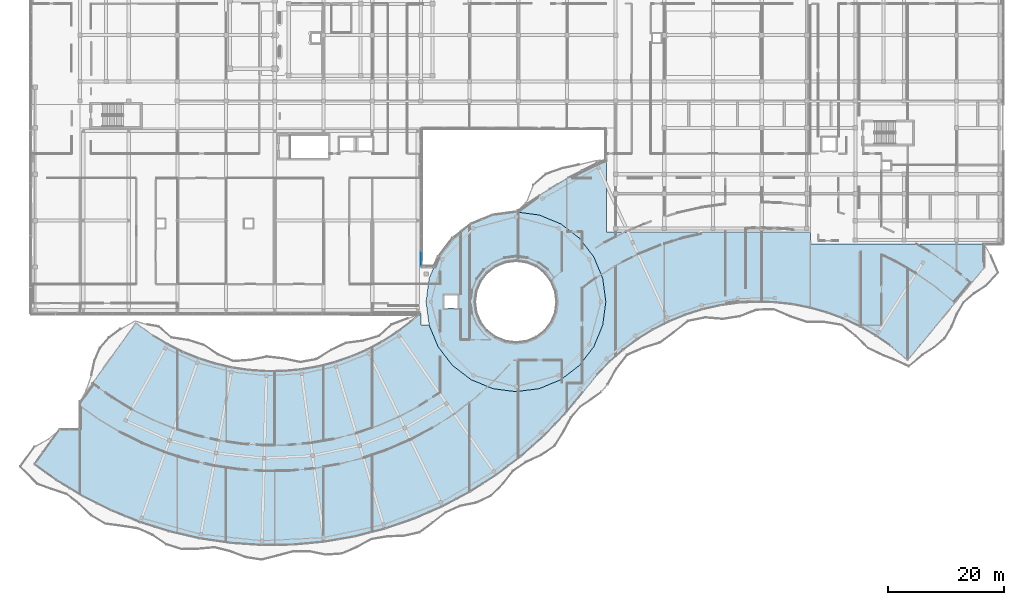
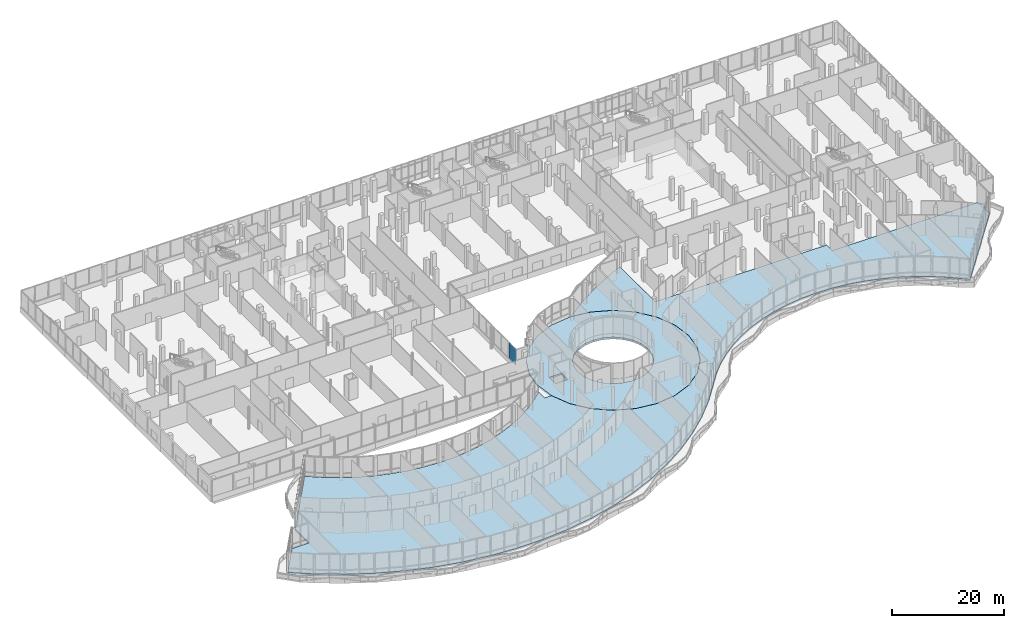
# One storey, part 120 of 155: 2 slabs, 1 plate, 1 element without a shape of its own.
"""IFC4 building model written with IfcOpenShell, lengths in metres."""

from ifc_helpers import new_model, si_unit, direction, frame, origin, origin_2d, place, context, subcontext, project, spatial, polyline, rectangle, outline, extrude, material, layer, layer_set, type_object, element, aggregate, save


model = new_model("IFC4")

# Units and contexts
model_context = context("Model", 3, precision=1e-05, world=origin(), true_north=direction((0.0, 1.0)))
body_context = subcontext(model_context, "Body", "Model", "MODEL_VIEW")
ifc_project = project(units=[si_unit("LENGTHUNIT", "METRE"), si_unit("AREAUNIT", "SQUARE_METRE"), si_unit("VOLUMEUNIT", "CUBIC_METRE"), si_unit("PLANEANGLEUNIT", "RADIAN"), si_unit("MASSUNIT", "GRAM", prefix="KILO")], contexts=[model_context])

# Site, building, storey
site_placement = place(None, origin())
site = spatial("IfcSite", under=ifc_project, at=site_placement, CompositionType="ELEMENT")
building_placement = place(site_placement, origin())
building = spatial("IfcBuilding", under=site, at=building_placement, Name="Selatvlak General Hospital", CompositionType="ELEMENT")
storey_placement = place(building_placement, frame((0.0, 0.0, 10.199951171875)))
storey = spatial("IfcBuildingStorey", under=building, at=storey_placement, Name="L02", CompositionType="ELEMENT", Elevation=10.199951171875)

# Curtain wall, plate
ifc_material_1 = material(Name="Solar-control Low-E double glazing", Category="glass")
curtain_wall_type = type_object("IfcCurtainWallType", Name="CW-CW-02", PredefinedType="USERDEFINED", material=ifc_material_1)
curtain_wall_placement = place(storey_placement, origin())
curtain_wall = element("IfcCurtainWall", 1, at=curtain_wall_placement, inside=storey, type_object=curtain_wall_type, Name="Glazed facade curtain wall CW-L02-0359", ObjectType="UNITISED CURTAIN WALL", PredefinedType="USERDEFINED")
ifc_layer_1 = layer(ifc_material_1, 0.028076171875, Name="Solar-control Low-E double glazing", Category="glass")
ifc_layer_set_1 = layer_set([ifc_layer_1], Name="Solar-control Low-E double glazing")
plate_type = type_object("IfcPlateType", Name="CWP-01", PredefinedType="CURTAIN_PANEL", material=ifc_layer_set_1)
plate_placement = place(storey_placement, frame((81.603271484375, 61.407958984375, 1.0048828125), z_axis=(0.0, 0.0, 1.0), x_axis=(-0.002531637448, -0.999996795401, 0.0)))
plate = element("IfcPlate", 2, at=plate_placement, type_object=plate_type, Name="CW-02 panel 3.1", PredefinedType="CURTAIN_PANEL", context=body_context, shape_type="SweptSolid", body=[
    extrude(rectangle(XDim=2.535888671875, YDim=0.028076171875, at=origin_2d()), origin(), (0.0, 0.0, 1.0), 3.389892578125),
])
aggregate(curtain_wall, [plate])

# Slabs
ifc_material_2 = material(Name="Concrete C40/50", Category="concrete")
ifc_layer_2 = layer(ifc_material_2, 0.35498046875, Name="Concrete C40/50", Category="concrete")
ifc_layer_set_2 = layer_set([ifc_layer_2], Name="Concrete C40/50")
slab_type = type_object("IfcSlabType", Name="SLAB-SL-FL2", PredefinedType="FLOOR", material=ifc_layer_set_2)
slab_1_placement = place(storey_placement, frame((0.0, 0.0, -0.35498046875)))
element("IfcSlab", 3, at=slab_1_placement, inside=storey, type_object=slab_type, Name="L02 V1 structural slab", PredefinedType="FLOOR", context=body_context, shape_type="SweptSolid", body=[
    extrude(outline(polyline([(111.423095703125, 46.25), (108.9599609375, 43.0400390625), (105.75, 40.576904296875), (102.011962890625, 39.028076171875), (98.0, 38.5), (93.988037109375, 39.028076171875), (90.25, 40.576904296875), (87.0400390625, 43.0400390625), (84.576904296875, 46.25), (83.028076171875, 49.988037109375), (82.5, 54.0), (83.028076171875, 58.011962890625), (84.576904296875, 61.75), (87.0400390625, 64.9599609375), (90.25, 67.423095703125), (93.988037109375, 68.971923828125), (98.0, 69.5), (102.011962890625, 68.971923828125), (105.75, 67.423095703125), (108.9599609375, 64.9599609375), (111.423095703125, 61.75), (112.971923828125, 58.011962890625), (113.5, 54.0), (112.971923828125, 49.988037109375), (111.423095703125, 46.25)]), holes=[polyline([(104.235107421875, 57.60009765625), (103.091064453125, 59.091064453125), (101.60009765625, 60.235107421875), (99.863037109375, 60.955078125), (98.0, 61.199951171875), (96.136962890625, 60.955078125), (94.39990234375, 60.235107421875), (92.908935546875, 59.091064453125), (91.764892578125, 57.60009765625), (91.044921875, 55.863037109375), (90.800048828125, 54.0), (91.044921875, 52.136962890625), (91.764892578125, 50.39990234375), (92.908935546875, 48.908935546875), (94.39990234375, 47.764892578125), (96.136962890625, 47.044921875), (98.0, 46.800048828125), (99.863037109375, 47.044921875), (101.60009765625, 47.764892578125), (103.091064453125, 48.908935546875), (104.235107421875, 50.39990234375), (104.955078125, 52.136962890625), (105.199951171875, 54.0), (104.955078125, 55.863037109375), (104.235107421875, 57.60009765625)]), polyline([(88.0, 55.10009765625), (85.60009765625, 55.10009765625), (85.60009765625, 52.89990234375), (88.0, 52.89990234375), (88.0, 55.10009765625)])]), origin(), (0.0, 0.0, 1.0), 0.35498046875),
])
slab_2_placement = place(storey_placement, frame((0.0, 0.0, -0.35498046875)))
element("IfcSlab", 4, at=slab_2_placement, inside=storey, type_object=slab_type, Name="L02 V6 structural slab", PredefinedType="FLOOR", context=body_context, shape_type="SweptSolid", body=[
    extrude(outline(polyline([(40.549072265625, 45.3310546875), (43.31298828125, 44.2119140625), (46.157958984375, 43.31494140625), (49.06298828125, 42.64697265625), (52.011962890625, 42.212890625), (54.988037109375, 42.012939453125), (57.967041015625, 42.051025390625), (60.93603515625, 42.325927734375), (63.873046875, 42.8359375), (66.763916015625, 43.5791015625), (69.58203125, 44.5458984375), (72.31396484375, 45.735107421875), (74.947021484375, 47.138916015625), (77.4580078125, 48.74609375), (79.83203125, 50.547119140625), (81.450927734375, 51.991943359375), (81.592041015625, 51.991943359375), (81.592041015625, 50.0), (83.01806640625, 49.991943359375), (84.570068359375, 46.2470703125), (87.033935546875, 43.034912109375), (90.2451171875, 40.571044921875), (93.985107421875, 39.02099609375), (97.9990234375, 38.491943359375), (102.012939453125, 39.02001953125), (105.7529296875, 40.570068359375), (108.965087890625, 43.033935546875), (111.428955078125, 46.2451171875), (112.97900390625, 49.985107421875), (113.508056640625, 53.9990234375), (112.97998046875, 58.012939453125), (111.429931640625, 61.7529296875), (108.966064453125, 64.965087890625), (105.7548828125, 67.428955078125), (102.014892578125, 68.97900390625), (98.216064453125, 69.47998046875), (102.152099609375, 72.39111328125), (106.91796875, 75.3369140625), (111.909912109375, 77.876953125), (113.592041015625, 78.56396484375), (113.592041015625, 66.0), (148.7919921875, 65.991943359375), (148.7919921875, 64.0), (178.800048828125, 63.991943359375), (178.800048828125, 59.947998046875), (165.56201171875, 43.9619140625), (162.695068359375, 46.35302734375), (160.14208984375, 48.131103515625), (157.448974609375, 49.693115234375), (154.635009765625, 51.02587890625), (151.722900390625, 52.12109375), (148.73095703125, 52.969970703125), (145.676025390625, 53.568115234375), (142.5810546875, 53.910888671875), (139.468994140625, 53.99609375), (136.364990234375, 53.823974609375), (133.281005859375, 53.39306640625), (130.243896484375, 52.708984375), (127.277099609375, 51.77587890625), (124.39599609375, 50.59912109375), (121.6201171875, 49.18701171875), (118.97412109375, 47.551025390625), (116.471923828125, 45.699951171875), (114.132080078125, 43.64892578125), (111.968994140625, 41.408935546875), (109.6240234375, 38.51904296875), (106.612060546875, 34.837890625), (102.904052734375, 30.9580078125), (98.89990234375, 27.386962890625), (94.6240234375, 24.14208984375), (90.10302734375, 21.2490234375), (85.3701171875, 18.72509765625), (80.447998046875, 16.58203125), (75.3701171875, 14.839111328125), (70.175048828125, 13.506103515625), (64.887939453125, 12.587890625), (59.54296875, 12.093017578125), (54.176025390625, 12.02490234375), (48.822021484375, 12.383056640625), (43.512939453125, 13.1650390625), (38.281982421875, 14.366943359375), (33.1650390625, 15.97998046875), (28.19091796875, 17.9951171875), (23.39306640625, 20.39794921875), (18.799072265625, 23.176025390625), (14.9189453125, 25.951904296875), (19.26904296875, 32.0), (22.800048828125, 32.0), (22.800048828125, 36.907958984375), (32.43701171875, 50.305908203125), (35.3330078125, 48.2080078125), (37.883056640625, 46.666015625), (40.549072265625, 45.3310546875)])), origin(), (0.0, 0.0, 1.0), 0.35498046875),
])

save(model, "model.ifc")
